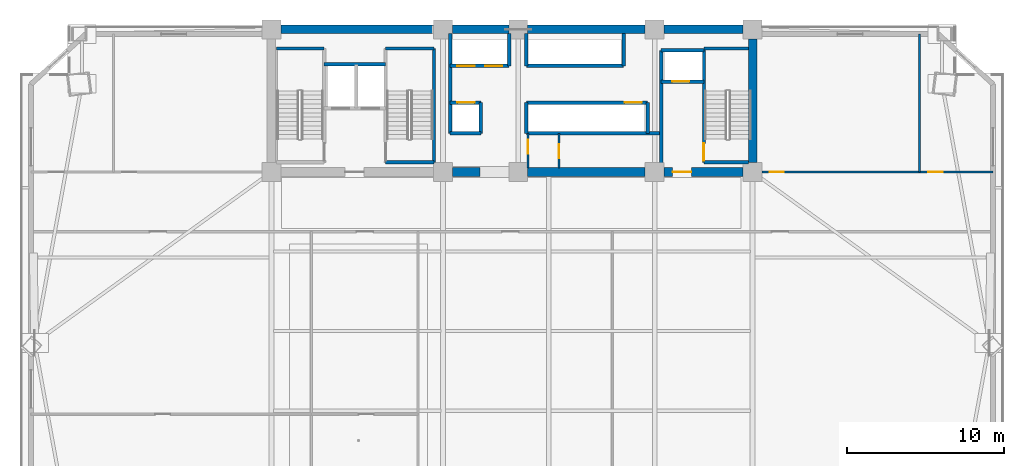
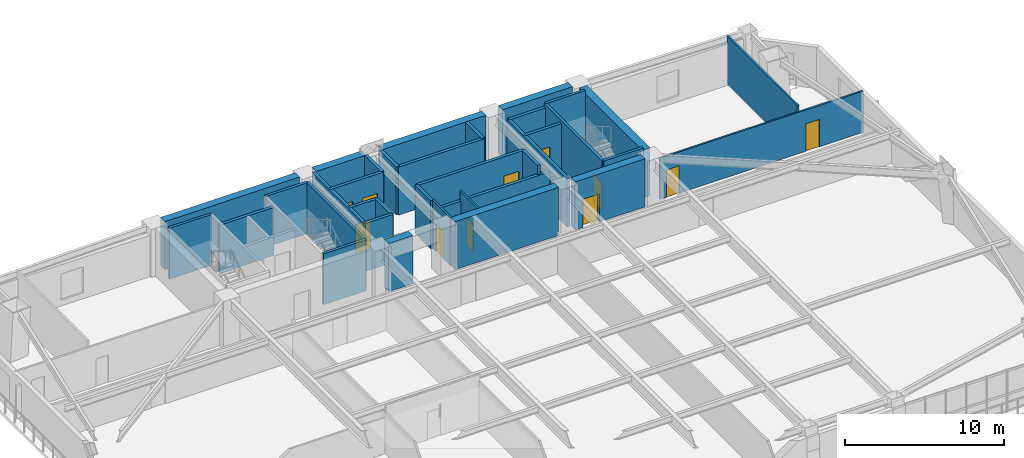
# One storey, part 9 of 15: 36 walls, 11 doors, 11 openings.
"""IFC4 building model written with IfcOpenShell, lengths in metres."""

from ifc_helpers import new_model, si_unit, direction, frame, frame_2d, origin, place, context, subcontext, project, spatial, rectangle, extrude, source, transform, mapped, material, layer, layer_set, type_object, element, fill, save


model = new_model("IFC4")

# Units and contexts
model_context = context("Model", 3, precision=1e-05, world=origin(), true_north=direction((0.0, 1.0)))
body_context = subcontext(model_context, "Body", "Model", "MODEL_VIEW")
ifc_project = project(units=[si_unit("LENGTHUNIT", "METRE"), si_unit("AREAUNIT", "SQUARE_METRE"), si_unit("VOLUMEUNIT", "CUBIC_METRE"), si_unit("PLANEANGLEUNIT", "RADIAN"), si_unit("MASSUNIT", "GRAM", prefix="KILO")], contexts=[model_context])

# Site, building, storey
site_placement = place(None, origin())
site = spatial("IfcSite", under=ifc_project, at=site_placement, CompositionType="ELEMENT")
building_placement = place(site_placement, origin())
building = spatial("IfcBuilding", under=site, at=building_placement, Name="Giltprow Tower", CompositionType="ELEMENT")
storey_placement = place(building_placement, frame((0.0, 0.0, 107.5)))
storey = spatial("IfcBuildingStorey", under=building, at=storey_placement, Name="L26", CompositionType="ELEMENT", Elevation=107.5)

# Wall
ifc_material_1 = material(Name="Concrete C40", Category="concrete")
ifc_layer_1 = layer(ifc_material_1, 0.219970703125, Name="Concrete C40")
ifc_layer_set_1 = layer_set([ifc_layer_1], Name="Concrete C40")
wall_type_1 = type_object("IfcWallType", Name="IW-SHAFT-220", PredefinedType="SOLIDWALL", material=ifc_layer_set_1)
wall_1_placement = place(storey_placement, frame((23.219970703125, 44.320068359375, 0.0), z_axis=(0.0, 0.0, 1.0), x_axis=(1.0, 0.0, 0.0)))
element("IfcWall", 1, at=wall_1_placement, inside=storey, type_object=wall_type_1, Name="L26 FFL1-SVL1 Back Shaft Wall", PredefinedType="SOLIDWALL", context=body_context, shape_type="SweptSolid", body=[
    extrude(rectangle(XDim=3.919921875, YDim=0.219970703125, at=frame_2d((1.9599609375, 0.0))), origin(), (0.0, 0.0, 1.0), 3.679931640625),
])

# Wall, opening, door
wall_2_placement = place(storey_placement, frame((44.719970703125, 43.219970703125, 0.0), z_axis=(0.0, 0.0, 1.0), x_axis=(1.0, 0.0, 0.0)))
wall_2 = element("IfcWall", 2, at=wall_2_placement, inside=storey, type_object=wall_type_1, Name="L26 FFL2 Front Shaft Wall", PredefinedType="SOLIDWALL", context=body_context, shape_type="SweptSolid", body=[
    extrude(rectangle(XDim=2.719970703125, YDim=0.219970703125, at=frame_2d((1.35986328125, 0.0))), origin(), (0.0, 0.0, 1.0), 3.679931640625),
])
opening_1_placement = place(wall_2_placement, frame((0.699951171875, 0.0, 0.0)))
opening_1 = element("IfcOpeningElement", 3, at=opening_1_placement, cuts=wall_2, Name="Opening LD-11", PredefinedType="OPENING", context=body_context, shape_type="SweptSolid", body=[
    extrude(rectangle(XDim=1.10009765625, YDim=2.199951171875, at=frame_2d((0.550048828125, 1.10009765625))), frame((0.0, 0.119873046875, 0.0), z_axis=(0.0, -1.0, 0.0), x_axis=(1.0, 0.0, 0.0)), (0.0, 0.0, 1.0), 0.239990234375),
])
ifc_material_2 = material(Name="Stainless steel", Category="steel")
door_type_1 = type_object("IfcDoorType", Name="DR-LIFT-LD1100", OperationType="SLIDING_TO_LEFT", PredefinedType="DOOR", material=ifc_material_2)
shared_shape_1 = source(origin(), body_context, "Body", "SweptSolid", [
    extrude(rectangle(XDim=1.10009765625, YDim=2.199951171875, at=frame_2d((0.550048828125, 1.10009765625))), frame((0.0, 0.02490234375, 0.0), z_axis=(0.0, -1.0, 0.0), x_axis=(1.0, 0.0, 0.0)), (0.0, 0.0, 1.0), 0.050048828125),
])
door_1_placement = place(opening_1_placement, origin())
door_1 = element("IfcDoor", 4, at=door_1_placement, inside=storey, type_object=door_type_1, Name="L26 FFL2 Landing Door", OperationType="SLIDING_TO_LEFT", OverallHeight=2.199951171875, OverallWidth=1.10009765625, PredefinedType="DOOR", context=body_context, shape_type="MappedRepresentation", body=[
    mapped(shared_shape_1, transform((0.0, 0.0, 0.0), x_axis=(1.0, 0.0, 0.0), y_axis=(0.0, 1.0, 0.0), z_axis=(0.0, 0.0, 1.0), scale=1.0)),
])
fill(opening_1, door_1)

# Walls
wall_3_placement = place(storey_placement, frame((44.719970703125, 45.219970703125, 0.0), z_axis=(0.0, 0.0, 1.0), x_axis=(1.0, 0.0, 0.0)))
element("IfcWall", 5, at=wall_3_placement, inside=storey, type_object=wall_type_1, Name="L26 FFL2 Back Shaft Wall", PredefinedType="SOLIDWALL", context=body_context, shape_type="SweptSolid", body=[
    extrude(rectangle(XDim=2.719970703125, YDim=0.219970703125, at=frame_2d((1.35986328125, 0.0))), origin(), (0.0, 0.0, 1.0), 3.679931640625),
])
wall_4_placement = place(storey_placement, frame((44.719970703125, 37.705078125, 0.0), z_axis=(0.0, 0.0, 1.0), x_axis=(0.0, 1.0, 0.0)))
element("IfcWall", 6, at=wall_4_placement, inside=storey, type_object=wall_type_1, Name="L26 East Firefighting Lobby West Wall", PredefinedType="SOLIDWALL", context=body_context, shape_type="SweptSolid", body=[
    extrude(rectangle(XDim=7.514892578125, YDim=0.219970703125, at=frame_2d((3.75732421875, 0.0))), origin(), (0.0, 0.0, 1.0), 3.679931640625),
])

# Wall, openings, doors
wall_5_placement = place(storey_placement, frame((31.25, 44.219970703125, 0.0), z_axis=(0.0, 0.0, 1.0), x_axis=(1.0, 0.0, 0.0)))
wall_5 = element("IfcWall", 7, at=wall_5_placement, inside=storey, type_object=wall_type_1, Name="L26 North West Lift Shaft Front Wall", PredefinedType="SOLIDWALL", context=body_context, shape_type="SweptSolid", body=[
    extrude(rectangle(XDim=3.77001953125, YDim=0.219970703125, at=frame_2d((1.885009765625, 0.0))), origin(), (0.0, 0.0, 1.0), 3.679931640625),
])
opening_2_placement = place(wall_5_placement, frame((0.4599609375, 0.0, 0.0)))
opening_2 = element("IfcOpeningElement", 8, at=opening_2_placement, cuts=wall_5, Name="Opening LD-11", PredefinedType="OPENING", context=body_context, shape_type="SweptSolid", body=[
    extrude(rectangle(XDim=1.10009765625, YDim=2.199951171875, at=frame_2d((0.550048828125, 1.10009765625))), frame((0.0, 0.119873046875, 0.0), z_axis=(0.0, -1.0, 0.0), x_axis=(1.0, 0.0, 0.0)), (0.0, 0.0, 1.0), 0.239990234375),
])
opening_3_placement = place(wall_5_placement, frame((2.239990234375, 0.0, 0.0)))
opening_3 = element("IfcOpeningElement", 9, at=opening_3_placement, cuts=wall_5, Name="Opening LD-11", PredefinedType="OPENING", context=body_context, shape_type="SweptSolid", body=[
    extrude(rectangle(XDim=1.10009765625, YDim=2.199951171875, at=frame_2d((0.550048828125, 1.10009765625))), frame((0.0, 0.119873046875, 0.0), z_axis=(0.0, -1.0, 0.0), x_axis=(1.0, 0.0, 0.0)), (0.0, 0.0, 1.0), 0.239990234375),
])
door_2_placement = place(opening_2_placement, origin())
door_2 = element("IfcDoor", 10, at=door_2_placement, inside=storey, type_object=door_type_1, Name="L26 PL-L1 Landing Door", OperationType="SLIDING_TO_LEFT", OverallHeight=2.199951171875, OverallWidth=1.10009765625, PredefinedType="DOOR", context=body_context, shape_type="MappedRepresentation", body=[
    mapped(shared_shape_1, transform((0.0, 0.0, 0.0), x_axis=(1.0, 0.0, 0.0), y_axis=(0.0, 1.0, 0.0), z_axis=(0.0, 0.0, 1.0), scale=1.0)),
])
fill(opening_2, door_2)
door_3_placement = place(opening_3_placement, origin())
door_3 = element("IfcDoor", 11, at=door_3_placement, inside=storey, type_object=door_type_1, Name="L26 PL-L2 Landing Door", OperationType="SLIDING_TO_LEFT", OverallHeight=2.199951171875, OverallWidth=1.10009765625, PredefinedType="DOOR", context=body_context, shape_type="MappedRepresentation", body=[
    mapped(shared_shape_1, transform((0.0, 0.0, 0.0), x_axis=(1.0, 0.0, 0.0), y_axis=(0.0, 1.0, 0.0), z_axis=(0.0, 0.0, 1.0), scale=1.0)),
])
fill(opening_3, door_3)

# Walls
wall_6_placement = place(storey_placement, frame((36.1201171875, 44.219970703125, 0.0), z_axis=(0.0, 0.0, 1.0), x_axis=(1.0, 0.0, 0.0)))
element("IfcWall", 12, at=wall_6_placement, inside=storey, type_object=wall_type_1, Name="L26 North East Lift Shaft Front Wall", PredefinedType="SOLIDWALL", context=body_context, shape_type="SweptSolid", body=[
    extrude(rectangle(XDim=6.199951171875, YDim=0.219970703125, at=frame_2d((3.10009765625, 0.0))), origin(), (0.0, 0.0, 1.0), 3.679931640625),
])
for number, where, z_axis, x_axis, name in (
    (13, (35.02001953125, 44.219970703125, 0.0), (0.0, 0.0, 1.0), (0.0, 1.0, 0.0), "L26 North West Lift Shaft East Closure"),
    (14, (36.1201171875, 44.219970703125, 0.0), (0.0, 0.0, 1.0), (0.0, 1.0, 0.0), "L26 North East Lift Shaft West Closure"),
    (15, (42.320068359375, 44.219970703125, 0.0), (0.0, 0.0, 1.0), (0.0, 1.0, 0.0), "L26 North East Lift Shaft East Closure"),
):
    element("IfcWall", number, at=place(storey_placement, frame(where, z_axis=z_axis, x_axis=x_axis)), inside=storey, type_object=wall_type_1, Name=name, PredefinedType="SOLIDWALL", context=body_context, shape_type="SweptSolid", body=[
        extrude(rectangle(XDim=2.074951171875, YDim=0.219970703125, at=frame_2d((1.03759765625, 0.0))), origin(), (0.0, 0.0, 1.0), 3.679931640625),
    ])

# Wall, opening, door
wall_7_placement = place(storey_placement, frame((31.25, 41.8798828125, 0.0), z_axis=(0.0, 0.0, 1.0), x_axis=(1.0, 0.0, 0.0)))
wall_7 = element("IfcWall", 16, at=wall_7_placement, inside=storey, type_object=wall_type_1, Name="L26 South West Lift Shaft Front Wall", PredefinedType="SOLIDWALL", context=body_context, shape_type="SweptSolid", body=[
    extrude(rectangle(XDim=1.969970703125, YDim=0.219970703125, at=frame_2d((0.98486328125, 0.0))), origin(), (0.0, 0.0, 1.0), 3.679931640625),
])
opening_4_placement = place(wall_7_placement, frame((0.4599609375, 0.0, 0.0)))
opening_4 = element("IfcOpeningElement", 17, at=opening_4_placement, cuts=wall_7, Name="Opening LD-11", PredefinedType="OPENING", context=body_context, shape_type="SweptSolid", body=[
    extrude(rectangle(XDim=1.10009765625, YDim=2.199951171875, at=frame_2d((0.550048828125, 1.10009765625))), frame((0.0, 0.119873046875, 0.0), z_axis=(0.0, -1.0, 0.0), x_axis=(1.0, 0.0, 0.0)), (0.0, 0.0, 1.0), 0.239990234375),
])
door_4_placement = place(opening_4_placement, origin())
door_4 = element("IfcDoor", 18, at=door_4_placement, inside=storey, type_object=door_type_1, Name="L26 PL-L3 Landing Door", OperationType="SLIDING_TO_LEFT", OverallHeight=2.199951171875, OverallWidth=1.10009765625, PredefinedType="DOOR", context=body_context, shape_type="MappedRepresentation", body=[
    mapped(shared_shape_1, transform((0.0, 0.0, 0.0), x_axis=(1.0, 0.0, 0.0), y_axis=(0.0, 1.0, 0.0), z_axis=(0.0, 0.0, 1.0), scale=1.0)),
])
fill(opening_4, door_4)

wall_8_placement = place(storey_placement, frame((36.1201171875, 41.8798828125, 0.0), z_axis=(0.0, 0.0, 1.0), x_axis=(1.0, 0.0, 0.0)))
wall_8 = element("IfcWall", 19, at=wall_8_placement, inside=storey, type_object=wall_type_1, Name="L26 South East Lift Shaft Front Wall", PredefinedType="SOLIDWALL", context=body_context, shape_type="SweptSolid", body=[
    extrude(rectangle(XDim=7.72998046875, YDim=0.219970703125, at=frame_2d((3.864990234375, 0.0))), origin(), (0.0, 0.0, 1.0), 3.679931640625),
])
opening_5_placement = place(wall_8_placement, frame((6.260009765625, 0.0, 0.0)))
opening_5 = element("IfcOpeningElement", 20, at=opening_5_placement, cuts=wall_8, Name="Opening LD-11", PredefinedType="OPENING", context=body_context, shape_type="SweptSolid", body=[
    extrude(rectangle(XDim=1.10009765625, YDim=2.199951171875, at=frame_2d((0.550048828125, 1.10009765625))), frame((0.0, 0.119873046875, 0.0), z_axis=(0.0, -1.0, 0.0), x_axis=(1.0, 0.0, 0.0)), (0.0, 0.0, 1.0), 0.239990234375),
])
door_5_placement = place(opening_5_placement, origin())
door_5 = element("IfcDoor", 21, at=door_5_placement, inside=storey, type_object=door_type_1, Name="L26 PL-L4 Landing Door", OperationType="SLIDING_TO_LEFT", OverallHeight=2.199951171875, OverallWidth=1.10009765625, PredefinedType="DOOR", context=body_context, shape_type="MappedRepresentation", body=[
    mapped(shared_shape_1, transform((0.0, 0.0, 0.0), x_axis=(1.0, 0.0, 0.0), y_axis=(0.0, 1.0, 0.0), z_axis=(0.0, 0.0, 1.0), scale=1.0)),
])
fill(opening_5, door_5)

# Walls
wall_9_placement = place(storey_placement, frame((31.25, 39.919921875, 0.0), z_axis=(0.0, 0.0, 1.0), x_axis=(1.0, 0.0, 0.0)))
element("IfcWall", 22, at=wall_9_placement, inside=storey, type_object=wall_type_1, Name="L26 Low-Rise South Lift Back Wall", PredefinedType="SOLIDWALL", context=body_context, shape_type="SweptSolid", body=[
    extrude(rectangle(XDim=1.969970703125, YDim=0.219970703125, at=frame_2d((0.98486328125, 0.0))), origin(), (0.0, 0.0, 1.0), 3.679931640625),
])
wall_10_placement = place(storey_placement, frame((33.219970703125, 39.919921875, 0.0), z_axis=(0.0, 0.0, 1.0), x_axis=(0.0, 1.0, 0.0)))
element("IfcWall", 23, at=wall_10_placement, inside=storey, type_object=wall_type_1, Name="L26 Low-Rise South Lift East Closure", PredefinedType="SOLIDWALL", context=body_context, shape_type="SweptSolid", body=[
    extrude(rectangle(XDim=1.9599609375, YDim=0.219970703125, at=frame_2d((0.97998046875, 0.0))), origin(), (0.0, 0.0, 1.0), 3.679931640625),
])
wall_11_placement = place(storey_placement, frame((36.1201171875, 39.919921875, 0.0), z_axis=(0.0, 0.0, 1.0), x_axis=(1.0, 0.0, 0.0)))
element("IfcWall", 24, at=wall_11_placement, inside=storey, type_object=wall_type_1, Name="L26 Express South Shaft Back Wall", PredefinedType="SOLIDWALL", context=body_context, shape_type="SweptSolid", body=[
    extrude(rectangle(XDim=8.599853515625, YDim=0.219970703125, at=frame_2d((4.2998046875, 0.0))), origin(), (0.0, 0.0, 1.0), 2.965087890625),
])
wall_12_placement = place(storey_placement, frame((36.1201171875, 39.919921875, 0.0), z_axis=(0.0, 0.0, 1.0), x_axis=(0.0, 1.0, 0.0)))
element("IfcWall", 25, at=wall_12_placement, inside=storey, type_object=wall_type_1, Name="L26 Express South Shaft West Closure", PredefinedType="SOLIDWALL", context=body_context, shape_type="SweptSolid", body=[
    extrude(rectangle(XDim=1.9599609375, YDim=0.219970703125, at=frame_2d((0.97998046875, 0.0))), origin(), (0.0, 0.0, 1.0), 3.679931640625),
])
wall_13_placement = place(storey_placement, frame((31.25, 39.919921875, 0.0), z_axis=(0.0, 0.0, 1.0), x_axis=(0.0, 1.0, 0.0)))
element("IfcWall", 26, at=wall_13_placement, inside=storey, type_object=wall_type_1, Name="L26 Lift Bank West Closure", PredefinedType="SOLIDWALL", context=body_context, shape_type="SweptSolid", body=[
    extrude(rectangle(XDim=6.375, YDim=0.219970703125, at=frame_2d((3.1875, 0.0))), origin(), (0.0, 0.0, 1.0), 3.679931640625),
])
wall_14_placement = place(storey_placement, frame((43.85009765625, 39.919921875, 0.0), z_axis=(0.0, 0.0, 1.0), x_axis=(0.0, 1.0, 0.0)))
element("IfcWall", 27, at=wall_14_placement, inside=storey, type_object=wall_type_1, Name="L26 Lift Bank South-East Closure", PredefinedType="SOLIDWALL", context=body_context, shape_type="SweptSolid", body=[
    extrude(rectangle(XDim=1.9599609375, YDim=0.219970703125, at=frame_2d((0.97998046875, 0.0))), origin(), (0.0, 0.0, 1.0), 3.679931640625),
])
ifc_layer_2 = layer(ifc_material_1, 0.199951171875, Name="Concrete C40")
ifc_layer_set_2 = layer_set([ifc_layer_2], Name="Concrete C40")
wall_type_2 = type_object("IfcWallType", Name="IW-STAIR-200", PredefinedType="SOLIDWALL", material=ifc_layer_set_2)
wall_15_placement = place(storey_placement, frame((20.169921875, 45.320068359375, 0.0), z_axis=(0.0, 0.0, 1.0), x_axis=(1.0, 0.0, 0.0)))
element("IfcWall", 28, at=wall_15_placement, inside=storey, type_object=wall_type_2, Name="L26 Stair ST-1 North Bearing Wall", PredefinedType="SOLIDWALL", context=body_context, shape_type="SweptSolid", body=[
    extrude(rectangle(XDim=3.050048828125, YDim=0.199951171875, at=frame_2d((1.52490234375, 0.0))), origin(), (0.0, 0.0, 1.0), 3.89990234375),
])
wall_16_placement = place(storey_placement, frame((30.219970703125, 38.070068359375, 0.0), z_axis=(0.0, 0.0, 1.0), x_axis=(0.0, 1.0, 0.0)))
element("IfcWall", 29, at=wall_16_placement, inside=storey, type_object=wall_type_2, Name="L26 Stair ST-2 East Bearing Wall", PredefinedType="SOLIDWALL", context=body_context, shape_type="SweptSolid", body=[
    extrude(rectangle(XDim=7.25, YDim=0.199951171875, at=frame_2d((3.625, 0.0))), origin(), (0.0, 0.0, 1.0), 3.89990234375),
])
for number, where, z_axis, x_axis, name in (
    (30, (27.139892578125, 45.320068359375, 0.0), (0.0, 0.0, 1.0), (1.0, 0.0, 0.0), "L26 Stair ST-2 North Bearing Wall"),
    (31, (27.139892578125, 38.070068359375, 0.0), (0.0, 0.0, 1.0), (1.0, 0.0, 0.0), "L26 Stair ST-2 South Bearing Wall"),
):
    element("IfcWall", number, at=place(storey_placement, frame(where, z_axis=z_axis, x_axis=x_axis)), inside=storey, type_object=wall_type_2, Name=name, PredefinedType="SOLIDWALL", context=body_context, shape_type="SweptSolid", body=[
        extrude(rectangle(XDim=3.080078125, YDim=0.199951171875, at=frame_2d((1.5400390625, 0.0))), origin(), (0.0, 0.0, 1.0), 3.89990234375),
    ])

# Wall, opening, door
wall_17_placement = place(storey_placement, frame((47.43994140625, 38.070068359375, 0.0), z_axis=(0.0, 0.0, 1.0), x_axis=(0.0, 1.0, 0.0)))
wall_17 = element("IfcWall", 32, at=wall_17_placement, inside=storey, type_object=wall_type_2, Name="L26 Stair ST-3 West Bearing Wall", PredefinedType="SOLIDWALL", context=body_context, shape_type="SweptSolid", body=[
    extrude(rectangle(XDim=7.25, YDim=0.199951171875, at=frame_2d((3.625, 0.0))), origin(), (0.0, 0.0, 1.0), 3.89990234375),
])
opening_6_placement = place(wall_17_placement, frame((0.110107421875, 0.0, 0.0)))
opening_6 = element("IfcOpeningElement", 33, at=opening_6_placement, cuts=wall_17, Name="Opening ID33", PredefinedType="OPENING", context=body_context, shape_type="SweptSolid", body=[
    extrude(rectangle(XDim=1.10009765625, YDim=2.14990234375, at=frame_2d((0.550048828125, 1.074951171875))), frame((0.0, 0.10986328125, 0.0), z_axis=(0.0, -1.0, 0.0), x_axis=(1.0, 0.0, 0.0)), (0.0, 0.0, 1.0), 0.219970703125),
])
ifc_material_3 = material(Name="Steel fire leaf", Category="steel")
door_type_2 = type_object("IfcDoorType", Name="DR-STAIR-1100", OperationType="SINGLE_SWING_LEFT", PredefinedType="DOOR", material=ifc_material_3)
shared_shape_2 = source(origin(), body_context, "Body", "SweptSolid", [
    extrude(rectangle(XDim=1.10009765625, YDim=2.14990234375, at=frame_2d((0.550048828125, 1.074951171875))), frame((0.0, 0.02490234375, 0.0), z_axis=(0.0, -1.0, 0.0), x_axis=(1.0, 0.0, 0.0)), (0.0, 0.0, 1.0), 0.050048828125),
])
door_6_placement = place(opening_6_placement, origin())
door_6 = element("IfcDoor", 34, at=door_6_placement, inside=storey, type_object=door_type_2, Name="L26 Stair ST-3 Fire Door", OperationType="SINGLE_SWING_RIGHT", OverallHeight=2.14990234375, OverallWidth=1.10009765625, PredefinedType="DOOR", context=body_context, shape_type="MappedRepresentation", body=[
    mapped(shared_shape_2, transform((0.0, 0.0, 0.0), x_axis=(1.0, 0.0, 0.0), y_axis=(0.0, 1.0, 0.0), z_axis=(0.0, 0.0, 1.0), scale=1.0)),
])
fill(opening_6, door_6)

# Walls
for number, where, z_axis, x_axis, name in (
    (35, (47.43994140625, 45.320068359375, 0.0), (0.0, 0.0, 1.0), (1.0, 0.0, 0.0), "L26 Stair ST-3 North Bearing Wall"),
    (36, (47.43994140625, 38.070068359375, 0.0), (0.0, 0.0, 1.0), (1.0, 0.0, 0.0), "L26 Stair ST-3 South Bearing Wall"),
):
    element("IfcWall", number, at=place(storey_placement, frame(where, z_axis=z_axis, x_axis=x_axis)), inside=storey, type_object=wall_type_2, Name=name, PredefinedType="SOLIDWALL", context=body_context, shape_type="SweptSolid", body=[
        extrude(rectangle(XDim=2.85498046875, YDim=0.199951171875, at=frame_2d((1.427490234375, 0.0))), origin(), (0.0, 0.0, 1.0), 3.89990234375),
    ])

# Wall, opening, door
ifc_material_4 = material(Name="Concrete C30", Category="concrete")
ifc_layer_3 = layer(ifc_material_4, 0.1298828125, Name="Concrete C30")
ifc_layer_set_3 = layer_set([ifc_layer_3], Name="Concrete C30")
wall_type_3 = type_object("IfcWallType", Name="IW-WET-130", PredefinedType="PARTITIONING", material=ifc_layer_set_3)
wall_18_placement = place(storey_placement, frame((36.219970703125, 37.705078125, 0.0), z_axis=(0.0, 0.0, 1.0), x_axis=(0.0, 1.0, 0.0)))
wall_18 = element("IfcWall", 37, at=wall_18_placement, inside=storey, type_object=wall_type_3, Name="L26 Core Suite West Wall", PredefinedType="PARTITIONING", context=body_context, shape_type="SweptSolid", body=[
    extrude(rectangle(XDim=2.21484375, YDim=0.1298828125, at=frame_2d((1.107421875, 0.0))), origin(), (0.0, 0.0, 1.0), 3.679931640625),
])
opening_7_placement = place(wall_18_placement, frame((0.905029296875, 0.0, 0.0)))
opening_7 = element("IfcOpeningElement", 38, at=opening_7_placement, cuts=wall_18, Name="Opening ID35", PredefinedType="OPENING", context=body_context, shape_type="SweptSolid", body=[
    extrude(rectangle(XDim=0.89990234375, YDim=2.10009765625, at=frame_2d((0.449951171875, 1.050048828125))), frame((0.0, 0.074951171875, 0.0), z_axis=(0.0, -1.0, 0.0), x_axis=(1.0, 0.0, 0.0)), (0.0, 0.0, 1.0), 0.14990234375),
])
door_type_3 = type_object("IfcDoorType", Name="DR-SHAFT-900", OperationType="SINGLE_SWING_LEFT", PredefinedType="DOOR", material=ifc_material_3)
shared_shape_3 = source(origin(), body_context, "Body", "SweptSolid", [
    extrude(rectangle(XDim=0.89990234375, YDim=2.10009765625, at=frame_2d((0.449951171875, 1.050048828125))), frame((0.0, 0.02490234375, 0.0), z_axis=(0.0, -1.0, 0.0), x_axis=(1.0, 0.0, 0.0)), (0.0, 0.0, 1.0), 0.050048828125),
])
door_7_placement = place(opening_7_placement, origin())
door_7 = element("IfcDoor", 39, at=door_7_placement, inside=storey, type_object=door_type_3, Name="L26 Core Accessible WC Door", OperationType="SINGLE_SWING_RIGHT", OverallHeight=2.10009765625, OverallWidth=0.89990234375, PredefinedType="DOOR", context=body_context, shape_type="MappedRepresentation", body=[
    mapped(shared_shape_3, transform((0.0, 0.0, 0.0), x_axis=(1.0, 0.0, 0.0), y_axis=(0.0, 1.0, 0.0), z_axis=(0.0, 0.0, 1.0), scale=1.0)),
])
fill(opening_7, door_7)

wall_19_placement = place(storey_placement, frame((38.199951171875, 37.705078125, 0.0), z_axis=(0.0, 0.0, 1.0), x_axis=(0.0, 1.0, 0.0)))
wall_19 = element("IfcWall", 40, at=wall_19_placement, inside=storey, type_object=wall_type_3, Name="L26 Core Suite Asymmetric Wall", PredefinedType="PARTITIONING", context=body_context, shape_type="SweptSolid", body=[
    extrude(rectangle(XDim=2.21484375, YDim=0.1298828125, at=frame_2d((1.107421875, 0.0))), origin(), (0.0, 0.0, 1.0), 3.679931640625),
])
opening_8_placement = place(wall_19_placement, frame((0.614990234375, 0.0, 0.0)))
opening_8 = element("IfcOpeningElement", 41, at=opening_8_placement, cuts=wall_19, Name="Opening ID35", PredefinedType="OPENING", context=body_context, shape_type="SweptSolid", body=[
    extrude(rectangle(XDim=0.89990234375, YDim=2.10009765625, at=frame_2d((0.449951171875, 1.050048828125))), frame((0.0, 0.074951171875, 0.0), z_axis=(0.0, -1.0, 0.0), x_axis=(1.0, 0.0, 0.0)), (0.0, 0.0, 1.0), 0.14990234375),
])
door_8_placement = place(opening_8_placement, origin())
door_8 = element("IfcDoor", 42, at=door_8_placement, inside=storey, type_object=door_type_3, Name="L26 Core Mail Room Door", OperationType="SINGLE_SWING_RIGHT", OverallHeight=2.10009765625, OverallWidth=0.89990234375, PredefinedType="DOOR", context=body_context, shape_type="MappedRepresentation", body=[
    mapped(shared_shape_3, transform((0.0, 0.0, 0.0), x_axis=(1.0, 0.0, 0.0), y_axis=(0.0, 1.0, 0.0), z_axis=(0.0, 0.0, 1.0), scale=1.0)),
])
fill(opening_8, door_8)

# Wall, openings, doors
wall_20_placement = place(storey_placement, frame((51.14990234375, 37.449951171875, 0.0), z_axis=(0.0, 0.0, 1.0), x_axis=(1.0, 0.0, 0.0)))
wall_20 = element("IfcWall", 43, at=wall_20_placement, inside=storey, type_object=wall_type_3, Name="L26 NE Wing South Wall", PredefinedType="PARTITIONING", context=body_context, shape_type="SweptSolid", body=[
    extrude(rectangle(XDim=14.7412109375, YDim=0.1298828125, at=frame_2d((7.37060546875, 0.0))), origin(), (0.0, 0.0, 1.0), 3.1650390625),
])
opening_9_placement = place(wall_20_placement, frame((0.5, 0.0, 0.0)))
opening_9 = element("IfcOpeningElement", 44, at=opening_9_placement, cuts=wall_20, Name="Opening ID15", PredefinedType="OPENING", context=body_context, shape_type="SweptSolid", body=[
    extrude(rectangle(XDim=0.89990234375, YDim=2.10009765625, at=frame_2d((0.449951171875, 1.050048828125))), frame((0.0, 0.074951171875, 0.0), z_axis=(0.0, -1.0, 0.0), x_axis=(1.0, 0.0, 0.0)), (0.0, 0.0, 1.0), 0.14990234375),
])
opening_10_placement = place(wall_20_placement, frame((10.593994140625, 0.0, 0.0)))
opening_10 = element("IfcOpeningElement", 45, at=opening_10_placement, cuts=wall_20, Name="Opening ID11", PredefinedType="OPENING", context=body_context, shape_type="SweptSolid", body=[
    extrude(rectangle(XDim=0.949951171875, YDim=2.10009765625, at=frame_2d((0.47509765625, 1.050048828125))), frame((0.0, 0.074951171875, 0.0), z_axis=(0.0, -1.0, 0.0), x_axis=(1.0, 0.0, 0.0)), (0.0, 0.0, 1.0), 0.14990234375),
])
ifc_material_5 = material(Name="Engineered timber", Category="wood")
door_type_4 = type_object("IfcDoorType", Name="DR-WC-900", OperationType="SINGLE_SWING_LEFT", PredefinedType="DOOR", material=ifc_material_5)
door_9_placement = place(opening_9_placement, origin())
door_9 = element("IfcDoor", 46, at=door_9_placement, inside=storey, type_object=door_type_4, Name="L26 East Wing Washroom Door", OperationType="SINGLE_SWING_RIGHT", OverallHeight=2.10009765625, OverallWidth=0.89990234375, PredefinedType="DOOR", context=body_context, shape_type="MappedRepresentation", body=[
    mapped(shared_shape_3, transform((0.0, 0.0, 0.0), x_axis=(1.0, 0.0, 0.0), y_axis=(0.0, 1.0, 0.0), z_axis=(0.0, 0.0, 1.0), scale=1.0)),
])
fill(opening_9, door_9)
door_type_5 = type_object("IfcDoorType", Name="DR-ROOM-950", OperationType="SINGLE_SWING_RIGHT", PredefinedType="DOOR", material=ifc_material_5)
shared_shape_4 = source(origin(), body_context, "Body", "SweptSolid", [
    extrude(rectangle(XDim=0.949951171875, YDim=2.10009765625, at=frame_2d((0.47509765625, 1.050048828125))), frame((0.0, 0.02490234375, 0.0), z_axis=(0.0, -1.0, 0.0), x_axis=(1.0, 0.0, 0.0)), (0.0, 0.0, 1.0), 0.050048828125),
])
door_10_placement = place(opening_10_placement, origin())
door_10 = element("IfcDoor", 47, at=door_10_placement, inside=storey, type_object=door_type_5, Name="L26 East Tenant Archive Store Door", OperationType="SINGLE_SWING_RIGHT", OverallHeight=2.10009765625, OverallWidth=0.949951171875, PredefinedType="DOOR", context=body_context, shape_type="MappedRepresentation", body=[
    mapped(shared_shape_4, transform((0.0, 0.0, 0.0), x_axis=(1.0, 0.0, 0.0), y_axis=(0.0, 1.0, 0.0), z_axis=(0.0, 0.0, 1.0), scale=1.0)),
])
fill(opening_10, door_10)

# Walls
wall_21_placement = place(storey_placement, frame((61.194091796875, 37.449951171875, 0.0), z_axis=(0.0, 0.0, 1.0), x_axis=(0.0, 1.0, 0.0)))
element("IfcWall", 48, at=wall_21_placement, inside=storey, type_object=wall_type_3, Name="L26 NE Wing Divider", PredefinedType="PARTITIONING", context=body_context, shape_type="SweptSolid", body=[
    extrude(rectangle(XDim=8.800048828125, YDim=0.1298828125, at=frame_2d((4.39990234375, 0.0))), origin(), (0.0, 0.0, 1.0), 3.679931640625),
])
ifc_material_6 = material(Name="Concrete C60", Category="concrete")
ifc_layer_4 = layer(ifc_material_6, 0.550048828125, Name="Concrete C60")
ifc_layer_set_4 = layer_set([ifc_layer_4], Name="Concrete C60")
wall_type_4 = type_object("IfcWallType", Name="SW-EXT-550-C60", PredefinedType="SHEAR", material=ifc_layer_set_4)
wall_22_placement = place(storey_placement, frame((20.449951171875, 46.550048828125, 0.0), z_axis=(0.0, 0.0, 1.0), x_axis=(1.0, 0.0, 0.0)))
element("IfcWall", 49, at=wall_22_placement, inside=storey, type_object=wall_type_4, Name="L26 North Rear Core Shear Wall 1", PredefinedType="SHEAR", context=body_context, shape_type="SweptSolid", body=[
    extrude(rectangle(XDim=9.75, YDim=0.550048828125, at=frame_2d((4.875, 0.0))), origin(), (0.0, 0.0, 1.0), 3.679931640625),
])
wall_23_placement = place(storey_placement, frame((31.39990234375, 46.550048828125, 0.0), z_axis=(0.0, 0.0, 1.0), x_axis=(1.0, 0.0, 0.0)))
element("IfcWall", 50, at=wall_23_placement, inside=storey, type_object=wall_type_4, Name="L26 North Rear Core Shear Wall 2", PredefinedType="SHEAR", context=body_context, shape_type="SweptSolid", body=[
    extrude(rectangle(XDim=3.60009765625, YDim=0.550048828125, at=frame_2d((1.800048828125, 0.0))), origin(), (0.0, 0.0, 1.0), 3.679931640625),
])
wall_24_placement = place(storey_placement, frame((36.199951171875, 46.550048828125, 0.0), z_axis=(0.0, 0.0, 1.0), x_axis=(1.0, 0.0, 0.0)))
element("IfcWall", 51, at=wall_24_placement, inside=storey, type_object=wall_type_4, Name="L26 North Rear Core Shear Wall 3", PredefinedType="SHEAR", context=body_context, shape_type="SweptSolid", body=[
    extrude(rectangle(XDim=7.5, YDim=0.550048828125, at=frame_2d((3.75, 0.0))), origin(), (0.0, 0.0, 1.0), 3.679931640625),
])
wall_25_placement = place(storey_placement, frame((44.89990234375, 46.550048828125, 0.0), z_axis=(0.0, 0.0, 1.0), x_axis=(1.0, 0.0, 0.0)))
element("IfcWall", 52, at=wall_25_placement, inside=storey, type_object=wall_type_4, Name="L26 North Rear Core Shear Wall 4", PredefinedType="SHEAR", context=body_context, shape_type="SweptSolid", body=[
    extrude(rectangle(XDim=5.050048828125, YDim=0.550048828125, at=frame_2d((2.52490234375, 0.0))), origin(), (0.0, 0.0, 1.0), 3.679931640625),
])
ifc_layer_5 = layer(ifc_material_6, 0.550048828125, Name="Concrete C60")
ifc_layer_set_5 = layer_set([ifc_layer_5], Name="Concrete C60")
wall_type_5 = type_object("IfcWallType", Name="SW-INT-550-C60", PredefinedType="SHEAR", material=ifc_layer_set_5)
wall_26_placement = place(storey_placement, frame((31.39990234375, 37.449951171875, 0.0), z_axis=(0.0, 0.0, 1.0), x_axis=(1.0, 0.0, 0.0)))
element("IfcWall", 53, at=wall_26_placement, inside=storey, type_object=wall_type_5, Name="L26 South Rear Core Shear Wall Mid-West", PredefinedType="SHEAR", context=body_context, shape_type="SweptSolid", body=[
    extrude(rectangle(XDim=1.75, YDim=0.550048828125, at=frame_2d((0.875, 0.0))), origin(), (0.0, 0.0, 1.0), 3.679931640625),
])
wall_27_placement = place(storey_placement, frame((36.199951171875, 37.449951171875, 0.0), z_axis=(0.0, 0.0, 1.0), x_axis=(1.0, 0.0, 0.0)))
element("IfcWall", 54, at=wall_27_placement, inside=storey, type_object=wall_type_5, Name="L26 South Rear Core Shear Wall Mid-East", PredefinedType="SHEAR", context=body_context, shape_type="SweptSolid", body=[
    extrude(rectangle(XDim=7.5, YDim=0.550048828125, at=frame_2d((3.75, 0.0))), origin(), (0.0, 0.0, 1.0), 3.679931640625),
])

# Wall, opening, door
wall_28_placement = place(storey_placement, frame((44.89990234375, 37.449951171875, 0.0), z_axis=(0.0, 0.0, 1.0), x_axis=(1.0, 0.0, 0.0)))
wall_28 = element("IfcWall", 55, at=wall_28_placement, inside=storey, type_object=wall_type_5, Name="L26 South Rear Core Shear Wall East", PredefinedType="SHEAR", context=body_context, shape_type="SweptSolid", body=[
    extrude(rectangle(XDim=5.050048828125, YDim=0.550048828125, at=frame_2d((2.52490234375, 0.0))), origin(), (0.0, 0.0, 1.0), 3.679931640625),
])
opening_11_placement = place(wall_28_placement, frame((0.550048828125, 0.0, 0.0)))
opening_11 = element("IfcOpeningElement", 56, at=opening_11_placement, cuts=wall_28, Name="Opening ID19", PredefinedType="OPENING", context=body_context, shape_type="SweptSolid", body=[
    extrude(rectangle(XDim=1.199951171875, YDim=2.14990234375, at=frame_2d((0.60009765625, 1.074951171875))), frame((0.0, 0.284912109375, 0.0), z_axis=(0.0, -1.0, 0.0), x_axis=(1.0, 0.0, 0.0)), (0.0, 0.0, 1.0), 0.570068359375),
])
door_type_6 = type_object("IfcDoorType", Name="DR-FFLOBBY-1200", OperationType="SINGLE_SWING_RIGHT", PredefinedType="DOOR", material=ifc_material_3)
shared_shape_5 = source(origin(), body_context, "Body", "SweptSolid", [
    extrude(rectangle(XDim=1.199951171875, YDim=2.14990234375, at=frame_2d((0.60009765625, 1.074951171875))), frame((0.0, 0.02490234375, 0.0), z_axis=(0.0, -1.0, 0.0), x_axis=(1.0, 0.0, 0.0)), (0.0, 0.0, 1.0), 0.050048828125),
])
door_11_placement = place(opening_11_placement, origin())
door_11 = element("IfcDoor", 57, at=door_11_placement, inside=storey, type_object=door_type_6, Name="L26 East Firefighting Lobby Entry Door", OperationType="SINGLE_SWING_RIGHT", OverallHeight=2.14990234375, OverallWidth=1.199951171875, PredefinedType="DOOR", context=body_context, shape_type="MappedRepresentation", body=[
    mapped(shared_shape_5, transform((0.0, 0.0, 0.0), x_axis=(1.0, 0.0, 0.0), y_axis=(0.0, 1.0, 0.0), z_axis=(0.0, 0.0, 1.0), scale=1.0)),
])
fill(opening_11, door_11)

# Wall
wall_29_placement = place(storey_placement, frame((50.550048828125, 38.050048828125, 0.0), z_axis=(0.0, 0.0, 1.0), x_axis=(0.0, 1.0, 0.0)))
element("IfcWall", 58, at=wall_29_placement, inside=storey, type_object=wall_type_5, Name="L26 E Rear Core Shear Wall", PredefinedType="SHEAR", context=body_context, shape_type="SweptSolid", body=[
    extrude(rectangle(XDim=7.89990234375, YDim=0.550048828125, at=frame_2d((3.949951171875, 0.0))), origin(), (0.0, 0.0, 1.0), 3.679931640625),
])

save(model, "model.ifc")
